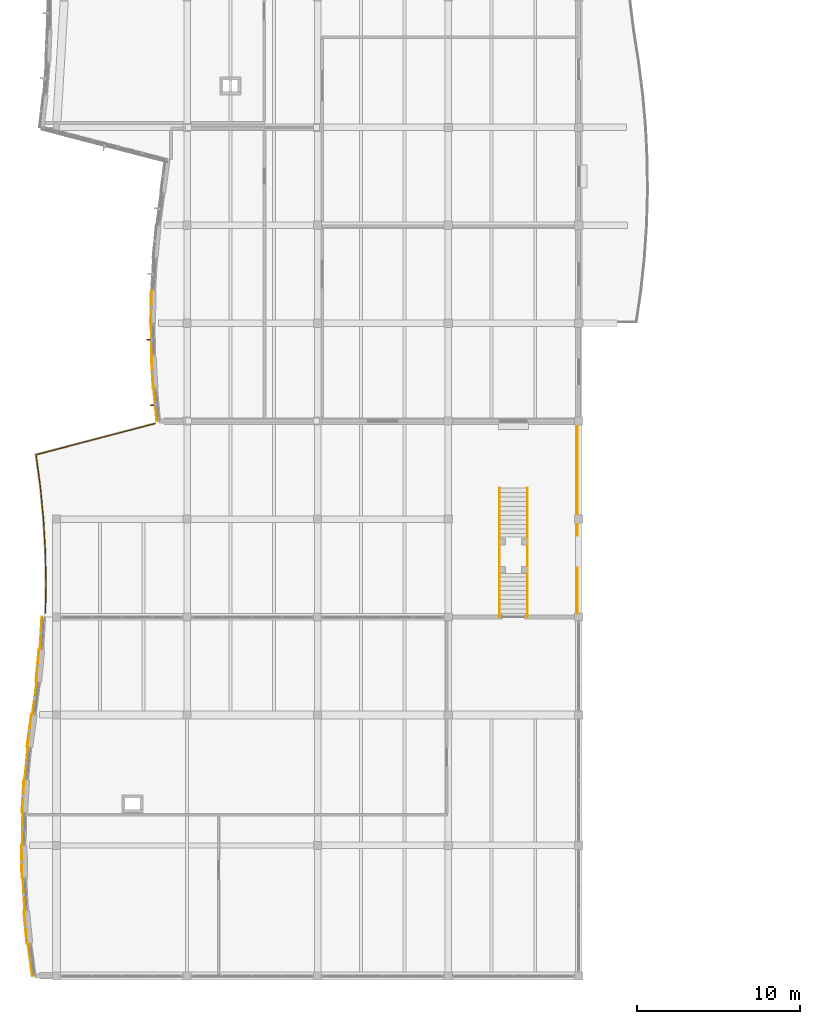
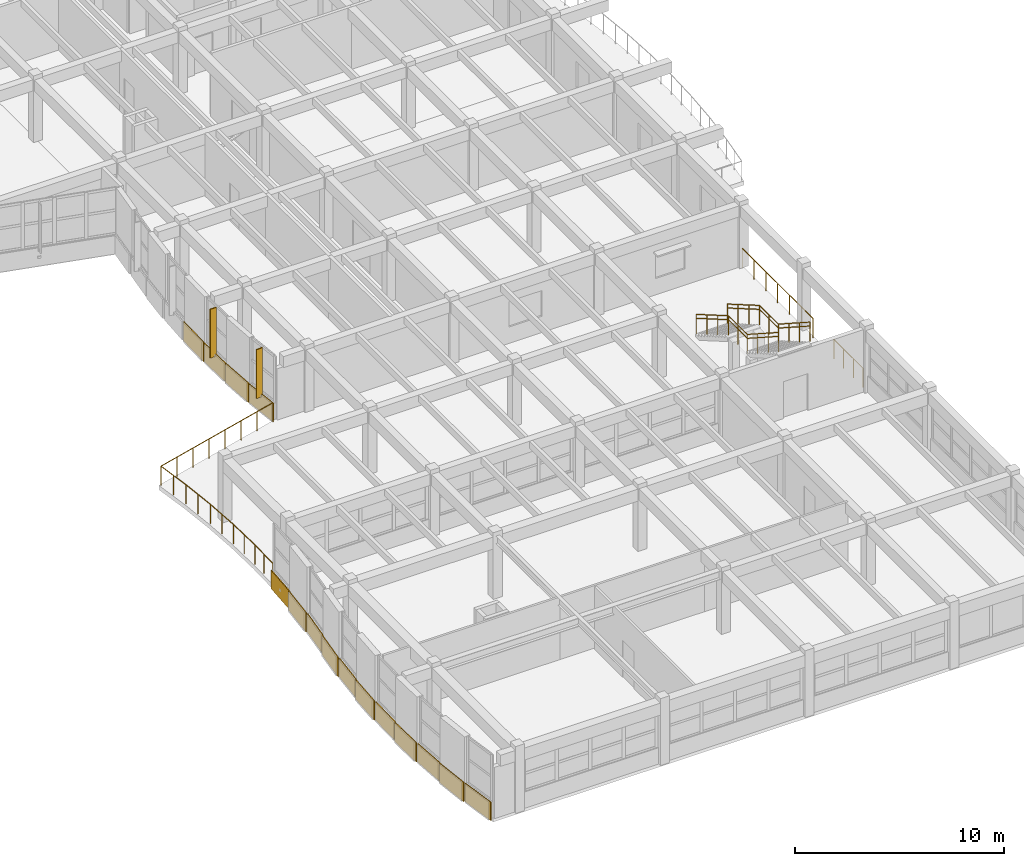
# One storey, part 77 of 89: 15 coverings, 7 railings, 2 shading devices.
"""IFC4 building model written with IfcOpenShell, lengths in metres."""

from ifc_helpers import new_model, si_unit, direction, frame, origin, origin_2d, place, context, subcontext, project, spatial, polyline, rectangle, circle, outline, extrude, material, layer, layer_set, type_object, element, save


model = new_model("IFC4")

# Units and contexts
model_context = context("Model", 3, precision=1e-05, world=origin(), true_north=direction((0.0, 1.0)))
body_context = subcontext(model_context, "Body", "Model", "MODEL_VIEW")
ifc_project = project(units=[si_unit("LENGTHUNIT", "METRE"), si_unit("AREAUNIT", "SQUARE_METRE"), si_unit("VOLUMEUNIT", "CUBIC_METRE"), si_unit("PLANEANGLEUNIT", "RADIAN"), si_unit("MASSUNIT", "GRAM", prefix="KILO")], contexts=[model_context])

# Site, building, storey
site_placement = place(None, origin())
site = spatial("IfcSite", under=ifc_project, at=site_placement, CompositionType="ELEMENT")
building_placement = place(site_placement, origin())
building = spatial("IfcBuilding", under=site, at=building_placement, Name="Tonlespit Floodbar School", CompositionType="ELEMENT")
storey_placement = place(building_placement, frame((0.0, 0.0, 4.5)))
storey = spatial("IfcBuildingStorey", under=building, at=storey_placement, Name="L01", CompositionType="ELEMENT", Elevation=4.5)

# Railings
ifc_material_1 = material(Name="Galvanised Steel", Category="steel")
railing_type_1 = type_object("IfcRailingType", Name="Balustrade_Ext_1150", PredefinedType="BALUSTRADE", material=ifc_material_1)
railing_1_placement = place(storey_placement, frame((35.919921875, 29.0, 0.0)))
element("IfcRailing", 1, at=railing_1_placement, inside=storey, type_object=railing_type_1, Name="L01 terrace balustrade 012", PredefinedType="BALUSTRADE", context=body_context, shape_type="SweptSolid", body=[
    extrude(circle(Radius=0.02392578125, at=origin_2d()), frame((0.0, 0.0, 1.1259765625), z_axis=(0.0, -1.0, 0.0), x_axis=(1.0, 0.0, 0.0)), (0.0, 0.0, 1.0), 2.77783203125),
    extrude(circle(Radius=0.02099609375, at=origin_2d()), origin(), (0.0, 0.0, 1.0), 1.101806640625),
    extrude(circle(Radius=0.02099609375, at=origin_2d()), frame((0.0, -0.926025390625, 0.0)), (0.0, 0.0, 1.0), 1.101806640625),
    extrude(circle(Radius=0.02099609375, at=origin_2d()), frame((0.0, -1.851806640625, 0.0)), (0.0, 0.0, 1.0), 1.101806640625),
    extrude(circle(Radius=0.02099609375, at=origin_2d()), frame((0.0, -2.77783203125, 0.0)), (0.0, 0.0, 1.0), 1.101806640625),
])
railing_2_placement = place(storey_placement, frame((31.139892578125, 33.89990234375, 0.16259765625)))
element("IfcRailing", 2, at=railing_2_placement, inside=storey, type_object=railing_type_1, Name="ST-D2 side guard 1", PredefinedType="BALUSTRADE", context=body_context, shape_type="SweptSolid", body=[
    extrude(circle(Radius=0.02392578125, at=origin_2d()), frame((0.0, 0.0, 1.1259765625), z_axis=(0.0, -0.864903211148, 0.501938676878), x_axis=(1.0, 0.0, 0.0)), (0.0, 0.0, 1.0), 3.560791015625),
    extrude(circle(Radius=0.02392578125, at=origin_2d()), frame((0.0, -3.079833984375, 2.9130859375), z_axis=(0.0, -1.0, 0.0), x_axis=(1.0, 0.0, 0.0)), (0.0, 0.0, 1.0), 1.800048828125),
    extrude(circle(Radius=0.02392578125, at=origin_2d()), frame((0.0, -4.8798828125, 2.9130859375), z_axis=(0.0, -0.840099985786, 0.542431575301), x_axis=(1.0, 0.0, 0.0)), (0.0, 0.0, 1.0), 3.5947265625),
    extrude(circle(Radius=0.02099609375, at=origin_2d()), origin(), (0.0, 0.0, 1.0), 1.101806640625),
    extrude(circle(Radius=0.02099609375, at=origin_2d()), frame((0.0, -1.026611328125, 0.595703125)), (0.0, 0.0, 1.0), 1.101806640625),
    extrude(circle(Radius=0.02099609375, at=origin_2d()), frame((0.0, -2.05322265625, 1.191650390625)), (0.0, 0.0, 1.0), 1.101806640625),
    extrude(circle(Radius=0.02099609375, at=origin_2d()), frame((0.0, -3.079833984375, 1.787353515625)), (0.0, 0.0, 1.0), 1.101806640625),
    extrude(circle(Radius=0.02099609375, at=origin_2d()), frame((0.0, -3.97998046875, 1.787353515625)), (0.0, 0.0, 1.0), 1.101806640625),
    extrude(circle(Radius=0.02099609375, at=origin_2d()), frame((0.0, -4.8798828125, 1.787353515625)), (0.0, 0.0, 1.0), 1.101806640625),
    extrude(circle(Radius=0.02099609375, at=origin_2d()), frame((0.0, -5.886474609375, 2.437255859375)), (0.0, 0.0, 1.0), 1.101806640625),
    extrude(circle(Radius=0.02099609375, at=origin_2d()), frame((0.0, -6.893310546875, 3.08740234375)), (0.0, 0.0, 1.0), 1.101806640625),
    extrude(circle(Radius=0.02099609375, at=origin_2d()), frame((0.0, -7.89990234375, 3.7373046875)), (0.0, 0.0, 1.0), 1.101806640625),
])
railing_3_placement = place(storey_placement, frame((32.860107421875, 33.89990234375, 0.16259765625)))
element("IfcRailing", 3, at=railing_3_placement, inside=storey, type_object=railing_type_1, Name="ST-D2 side guard 2", PredefinedType="BALUSTRADE", context=body_context, shape_type="SweptSolid", body=[
    extrude(circle(Radius=0.02392578125, at=origin_2d()), frame((0.0, 0.0, 1.1259765625), z_axis=(0.0, -0.864903211148, 0.501938676878), x_axis=(1.0, 0.0, 0.0)), (0.0, 0.0, 1.0), 3.560791015625),
    extrude(circle(Radius=0.02392578125, at=origin_2d()), frame((0.0, -3.079833984375, 2.9130859375), z_axis=(0.0, -1.0, 0.0), x_axis=(1.0, 0.0, 0.0)), (0.0, 0.0, 1.0), 1.800048828125),
    extrude(circle(Radius=0.02392578125, at=origin_2d()), frame((0.0, -4.8798828125, 2.9130859375), z_axis=(0.0, -0.840099985786, 0.542431575301), x_axis=(1.0, 0.0, 0.0)), (0.0, 0.0, 1.0), 3.5947265625),
    extrude(circle(Radius=0.02099609375, at=origin_2d()), origin(), (0.0, 0.0, 1.0), 1.101806640625),
    extrude(circle(Radius=0.02099609375, at=origin_2d()), frame((0.0, -1.026611328125, 0.595703125)), (0.0, 0.0, 1.0), 1.101806640625),
    extrude(circle(Radius=0.02099609375, at=origin_2d()), frame((0.0, -2.05322265625, 1.191650390625)), (0.0, 0.0, 1.0), 1.101806640625),
    extrude(circle(Radius=0.02099609375, at=origin_2d()), frame((0.0, -3.079833984375, 1.787353515625)), (0.0, 0.0, 1.0), 1.101806640625),
    extrude(circle(Radius=0.02099609375, at=origin_2d()), frame((0.0, -3.97998046875, 1.787353515625)), (0.0, 0.0, 1.0), 1.101806640625),
    extrude(circle(Radius=0.02099609375, at=origin_2d()), frame((0.0, -4.8798828125, 1.787353515625)), (0.0, 0.0, 1.0), 1.101806640625),
    extrude(circle(Radius=0.02099609375, at=origin_2d()), frame((0.0, -5.886474609375, 2.437255859375)), (0.0, 0.0, 1.0), 1.101806640625),
    extrude(circle(Radius=0.02099609375, at=origin_2d()), frame((0.0, -6.893310546875, 3.08740234375)), (0.0, 0.0, 1.0), 1.101806640625),
    extrude(circle(Radius=0.02099609375, at=origin_2d()), frame((0.0, -7.89990234375, 3.7373046875)), (0.0, 0.0, 1.0), 1.101806640625),
])

# Coverings
ifc_material_2 = material(Name="White Architectural Aluminium", Category="aluminium")
ifc_layer_1 = layer(ifc_material_2, 0.050048828125)
ifc_layer_set_1 = layer_set([ifc_layer_1], Name="White Architectural Aluminium")
covering_type = type_object("IfcCoveringType", Name="Cladding_WhiteBand_50", PredefinedType="CLADDING", material=ifc_layer_set_1)
covering_1_placement = place(storey_placement, frame((0.0, 0.0, -0.1201171875)))
element("IfcCovering", 4, at=covering_1_placement, inside=storey, type_object=covering_type, Name="L01 curved white spandrel cladding 0514", PredefinedType="CLADDING", context=body_context, shape_type="SweptSolid", body=[
    extrude(outline(polyline([(10.1787109375, 37.990478515625), (9.985595703125, 39.990478515625), (9.935791015625, 39.985595703125), (10.12890625, 37.985595703125), (10.1787109375, 37.990478515625)])), origin(), (0.0, 0.0, 1.0), 1.070068359375),
])
covering_2_placement = place(storey_placement, frame((0.0, 0.0, -0.1201171875)))
element("IfcCovering", 5, at=covering_2_placement, inside=storey, type_object=covering_type, Name="L01 curved white spandrel cladding 0515", PredefinedType="CLADDING", context=body_context, shape_type="SweptSolid", body=[
    extrude(outline(polyline([(9.955078125, 39.992431640625), (9.839599609375, 41.992431640625), (9.789794921875, 41.989501953125), (9.9052734375, 39.989501953125), (9.955078125, 39.992431640625)])), origin(), (0.0, 0.0, 1.0), 1.1201171875),
])
covering_3_placement = place(storey_placement, frame((0.0, 0.0, -0.1201171875)))
element("IfcCovering", 6, at=covering_3_placement, inside=storey, type_object=covering_type, Name="L01 curved white spandrel cladding 0516", PredefinedType="CLADDING", context=body_context, shape_type="SweptSolid", body=[
    extrude(outline(polyline([(9.869384765625, 41.998046875), (9.830810546875, 43.998046875), (9.781005859375, 43.9970703125), (9.8193359375, 41.9970703125), (9.869384765625, 41.998046875)])), origin(), (0.0, 0.0, 1.0), 1.070068359375),
])
covering_4_placement = place(storey_placement, frame((0.0, 0.0, -0.1201171875)))
element("IfcCovering", 7, at=covering_4_placement, inside=storey, type_object=covering_type, Name="L01 curved white spandrel cladding 0517", PredefinedType="CLADDING", context=body_context, shape_type="SweptSolid", body=[
    extrude(outline(polyline([(9.80078125, 44.00244140625), (9.83935546875, 46.00244140625), (9.789306640625, 46.00341796875), (9.7509765625, 44.00341796875), (9.80078125, 44.00244140625)])), origin(), (0.0, 0.0, 1.0), 1.1201171875),
])
covering_5_placement = place(storey_placement, frame((0.0, 0.0, -0.1201171875)))
element("IfcCovering", 8, at=covering_5_placement, inside=storey, type_object=covering_type, Name="L01 curved white spandrel cladding 0763", PredefinedType="CLADDING", context=body_context, shape_type="SweptSolid", body=[
    extrude(outline(polyline([(2.55078125, 3.986572265625), (2.279052734375, 5.986572265625), (2.2294921875, 5.979736328125), (2.50146484375, 3.979736328125), (2.55078125, 3.986572265625)])), origin(), (0.0, 0.0, 1.0), 1.070068359375),
])
covering_6_placement = place(storey_placement, frame((0.0, 0.0, -0.1201171875)))
element("IfcCovering", 9, at=covering_6_placement, inside=storey, type_object=covering_type, Name="L01 curved white spandrel cladding 0764", PredefinedType="CLADDING", context=body_context, shape_type="SweptSolid", body=[
    extrude(outline(polyline([(2.218994140625, 5.984619140625), (2.025634765625, 7.984619140625), (1.975830078125, 7.979736328125), (2.169189453125, 5.979736328125), (2.218994140625, 5.984619140625)])), origin(), (0.0, 0.0, 1.0), 1.1201171875),
])
covering_7_placement = place(storey_placement, frame((0.0, 0.0, -0.1201171875)))
element("IfcCovering", 10, at=covering_7_placement, inside=storey, type_object=covering_type, Name="L01 curved white spandrel cladding 0765", PredefinedType="CLADDING", context=body_context, shape_type="SweptSolid", body=[
    extrude(outline(polyline([(2.085205078125, 7.994140625), (1.969482421875, 9.994140625), (1.919677734375, 9.9912109375), (2.035400390625, 7.9912109375), (2.085205078125, 7.994140625)])), origin(), (0.0, 0.0, 1.0), 1.070068359375),
])
covering_8_placement = place(storey_placement, frame((0.0, 0.0, -0.1201171875)))
element("IfcCovering", 11, at=covering_8_placement, inside=storey, type_object=covering_type, Name="L01 curved white spandrel cladding 0766", PredefinedType="CLADDING", context=body_context, shape_type="SweptSolid", body=[
    extrude(outline(polyline([(1.909423828125, 9.996826171875), (1.870849609375, 11.996826171875), (1.82080078125, 11.995849609375), (1.859375, 9.995849609375), (1.909423828125, 9.996826171875)])), origin(), (0.0, 0.0, 1.0), 1.1201171875),
])
covering_9_placement = place(storey_placement, frame((0.0, 0.0, -0.1201171875)))
element("IfcCovering", 12, at=covering_9_placement, inside=storey, type_object=covering_type, Name="L01 curved white spandrel cladding 0767", PredefinedType="CLADDING", context=body_context, shape_type="SweptSolid", body=[
    extrude(outline(polyline([(1.930908203125, 12.001953125), (1.969482421875, 14.001953125), (1.91943359375, 14.0029296875), (1.880859375, 12.0029296875), (1.930908203125, 12.001953125)])), origin(), (0.0, 0.0, 1.0), 1.070068359375),
])
covering_10_placement = place(storey_placement, frame((0.0, 0.0, -0.1201171875)))
element("IfcCovering", 13, at=covering_10_placement, inside=storey, type_object=covering_type, Name="L01 curved white spandrel cladding 0768", PredefinedType="CLADDING", context=body_context, shape_type="SweptSolid", body=[
    extrude(outline(polyline([(1.90966796875, 14.00927734375), (2.025390625, 16.00927734375), (1.975341796875, 16.01220703125), (1.85986328125, 14.01220703125), (1.90966796875, 14.00927734375)])), origin(), (0.0, 0.0, 1.0), 1.1201171875),
])
covering_11_placement = place(storey_placement, frame((0.0, 0.0, -0.1201171875)))
element("IfcCovering", 14, at=covering_11_placement, inside=storey, type_object=covering_type, Name="L01 curved white spandrel cladding 0769", PredefinedType="CLADDING", context=body_context, shape_type="SweptSolid", body=[
    extrude(outline(polyline([(2.08544921875, 16.009521484375), (2.27880859375, 18.009521484375), (2.22900390625, 18.014404296875), (2.03564453125, 16.014404296875), (2.08544921875, 16.009521484375)])), origin(), (0.0, 0.0, 1.0), 1.070068359375),
])
covering_12_placement = place(storey_placement, frame((0.0, 0.0, -0.1201171875)))
element("IfcCovering", 15, at=covering_12_placement, inside=storey, type_object=covering_type, Name="L01 curved white spandrel cladding 0770", PredefinedType="CLADDING", context=body_context, shape_type="SweptSolid", body=[
    extrude(outline(polyline([(2.2197265625, 18.021484375), (2.491455078125, 20.021484375), (2.44189453125, 20.0283203125), (2.170166015625, 18.0283203125), (2.2197265625, 18.021484375)])), origin(), (0.0, 0.0, 1.0), 1.1201171875),
])
covering_13_placement = place(storey_placement, frame((0.0, 0.0, -0.1201171875)))
element("IfcCovering", 16, at=covering_13_placement, inside=storey, type_object=covering_type, Name="L01 curved white spandrel cladding 0771", PredefinedType="CLADDING", context=body_context, shape_type="SweptSolid", body=[
    extrude(outline(polyline([(2.55078125, 20.013427734375), (2.82275390625, 22.013427734375), (2.773193359375, 22.020263671875), (2.50146484375, 20.020263671875), (2.55078125, 20.013427734375)])), origin(), (0.0, 0.0, 1.0), 1.070068359375),
])
covering_14_placement = place(storey_placement, frame((0.0, 0.0, -0.1201171875)))
element("IfcCovering", 17, at=covering_14_placement, inside=storey, type_object=covering_type, Name="L01 curved white spandrel cladding 0772", PredefinedType="CLADDING", context=body_context, shape_type="SweptSolid", body=[
    extrude(outline(polyline([(2.762451171875, 22.015380859375), (2.955810546875, 24.015380859375), (2.906005859375, 24.020263671875), (2.712646484375, 22.020263671875), (2.762451171875, 22.015380859375)])), origin(), (0.0, 0.0, 1.0), 1.1201171875),
])
covering_15_placement = place(storey_placement, frame((0.0, 0.0, -0.1201171875)))
element("IfcCovering", 18, at=covering_15_placement, inside=storey, type_object=covering_type, Name="L01 curved white spandrel cladding 0773", PredefinedType="CLADDING", context=body_context, shape_type="SweptSolid", body=[
    extrude(outline(polyline([(3.01513671875, 24.005859375), (3.130859375, 26.005859375), (3.080810546875, 26.0087890625), (2.96533203125, 24.0087890625), (3.01513671875, 24.005859375)])), origin(), (0.0, 0.0, 1.0), 1.070068359375),
])

# Railings
ifc_material_3 = material(Name="Anodised Aluminium", Category="aluminium")
railing_type_2 = type_object("IfcRailingType", Name="Guardrail_Terrace_1150", PredefinedType="GUARDRAIL", material=ifc_material_3)
railing_4_placement = place(storey_placement, frame((3.315185546875, 26.24560546875, 0.0)))
element("IfcRailing", 19, at=railing_4_placement, inside=storey, type_object=railing_type_2, Name="L01 terrace balustrade 009", PredefinedType="GUARDRAIL", context=body_context, shape_type="SweptSolid", body=[
    extrude(circle(Radius=0.02392578125, at=origin_2d()), frame((0.0, 0.0, 1.1259765625), z_axis=(0.019361095757, 0.999812556418, 0.0), x_axis=(-0.999812556418, 0.019361095757, 0.0)), (0.0, 0.0, 1.0), 1.752685546875),
    extrude(circle(Radius=0.02392578125, at=origin_2d()), frame((0.033935546875, 1.75244140625, 1.1259765625), z_axis=(-0.01925298157, 0.999814644172, 0.0), x_axis=(-0.999814644172, -0.01925298157, 0.0)), (0.0, 0.0, 1.0), 2.003662109375),
    extrude(circle(Radius=0.02392578125, at=origin_2d()), frame((-0.004638671875, 3.755615234375, 1.1259765625), z_axis=(-0.057680501526, 0.998335093916, 0.0), x_axis=(-0.998335093916, -0.057680501526, 0.0)), (0.0, 0.0, 1.0), 2.00634765625),
    extrude(circle(Radius=0.02392578125, at=origin_2d()), frame((-0.120361328125, 5.758544921875, 1.1259765625), z_axis=(-0.096079940004, 0.995373620873, 0.0), x_axis=(-0.995373620873, -0.096079940004, 0.0)), (0.0, 0.0, 1.0), 2.012451171875),
    extrude(circle(Radius=0.02392578125, at=origin_2d()), frame((-0.313720703125, 7.76171875, 1.1259765625), z_axis=(-0.134549065615, 0.990906932533, 0.0), x_axis=(-0.990906932533, -0.134549065615, 0.0)), (0.0, 0.0, 1.0), 1.95068359375),
    extrude(circle(Radius=0.02392578125, at=origin_2d()), frame((-0.576171875, 9.694580078125, 1.1259765625), z_axis=(0.96729667106, 0.253647689043, 0.0), x_axis=(-0.253647689043, 0.96729667106, 0.0)), (0.0, 0.0, 1.0), 7.547119140625),
    extrude(circle(Radius=0.02099609375, at=origin_2d()), origin(), (0.0, 0.0, 1.0), 1.101806640625),
    extrude(circle(Radius=0.02099609375, at=origin_2d()), frame((0.01708984375, 0.876220703125, 0.0)), (0.0, 0.0, 1.0), 1.101806640625),
    extrude(circle(Radius=0.02099609375, at=origin_2d()), frame((0.033935546875, 1.75244140625, 0.0)), (0.0, 0.0, 1.0), 1.101806640625),
    extrude(circle(Radius=0.02099609375, at=origin_2d()), frame((0.0146484375, 2.75390625, 0.0)), (0.0, 0.0, 1.0), 1.101806640625),
    extrude(circle(Radius=0.02099609375, at=origin_2d()), frame((-0.004638671875, 3.755615234375, 0.0)), (0.0, 0.0, 1.0), 1.101806640625),
    extrude(circle(Radius=0.02099609375, at=origin_2d()), frame((-0.0625, 4.757080078125, 0.0)), (0.0, 0.0, 1.0), 1.101806640625),
    extrude(circle(Radius=0.02099609375, at=origin_2d()), frame((-0.120361328125, 5.758544921875, 0.0)), (0.0, 0.0, 1.0), 1.101806640625),
    extrude(circle(Radius=0.02099609375, at=origin_2d()), frame((-0.217041015625, 6.76025390625, 0.0)), (0.0, 0.0, 1.0), 1.101806640625),
    extrude(circle(Radius=0.02099609375, at=origin_2d()), frame((-0.313720703125, 7.76171875, 0.0)), (0.0, 0.0, 1.0), 1.101806640625),
    extrude(circle(Radius=0.02099609375, at=origin_2d()), frame((-0.44482421875, 8.72802734375, 0.0)), (0.0, 0.0, 1.0), 1.101806640625),
    extrude(circle(Radius=0.02099609375, at=origin_2d()), frame((-0.576171875, 9.694580078125, 0.0)), (0.0, 0.0, 1.0), 1.101806640625),
    extrude(circle(Radius=0.02099609375, at=origin_2d()), frame((0.466796875, 9.968017578125, 0.0)), (0.0, 0.0, 1.0), 1.101806640625),
    extrude(circle(Radius=0.02099609375, at=origin_2d()), frame((1.509521484375, 10.241455078125, 0.0)), (0.0, 0.0, 1.0), 1.101806640625),
    extrude(circle(Radius=0.02099609375, at=origin_2d()), frame((2.552490234375, 10.514892578125, 0.0)), (0.0, 0.0, 1.0), 1.101806640625),
    extrude(circle(Radius=0.02099609375, at=origin_2d()), frame((3.595458984375, 10.78857421875, 0.0)), (0.0, 0.0, 1.0), 1.101806640625),
    extrude(circle(Radius=0.02099609375, at=origin_2d()), frame((4.638427734375, 11.06201171875, 0.0)), (0.0, 0.0, 1.0), 1.101806640625),
    extrude(circle(Radius=0.02099609375, at=origin_2d()), frame((5.68115234375, 11.33544921875, 0.0)), (0.0, 0.0, 1.0), 1.101806640625),
    extrude(circle(Radius=0.02099609375, at=origin_2d()), frame((6.72412109375, 11.60888671875, 0.0)), (0.0, 0.0, 1.0), 1.101806640625),
])
railing_5_placement = place(storey_placement, frame((35.919921875, 37.77783203125, 0.0)))
element("IfcRailing", 20, at=railing_5_placement, inside=storey, type_object=railing_type_2, Name="L01 terrace balustrade 011", PredefinedType="GUARDRAIL", context=body_context, shape_type="SweptSolid", body=[
    extrude(circle(Radius=0.02392578125, at=origin_2d()), frame((0.0, 0.0, 1.1259765625), z_axis=(0.0, -1.0, 0.0), x_axis=(1.0, 0.0, 0.0)), (0.0, 0.0, 1.0), 6.77783203125),
    extrude(circle(Radius=0.02099609375, at=origin_2d()), origin(), (0.0, 0.0, 1.0), 1.101806640625),
    extrude(circle(Radius=0.02099609375, at=origin_2d()), frame((0.0, -1.129638671875, 0.0)), (0.0, 0.0, 1.0), 1.101806640625),
    extrude(circle(Radius=0.02099609375, at=origin_2d()), frame((0.0, -2.25927734375, 0.0)), (0.0, 0.0, 1.0), 1.101806640625),
    extrude(circle(Radius=0.02099609375, at=origin_2d()), frame((0.0, -3.388916015625, 0.0)), (0.0, 0.0, 1.0), 1.101806640625),
    extrude(circle(Radius=0.02099609375, at=origin_2d()), frame((0.0, -4.5185546875, 0.0)), (0.0, 0.0, 1.0), 1.101806640625),
    extrude(circle(Radius=0.02099609375, at=origin_2d()), frame((0.0, -5.648193359375, 0.0)), (0.0, 0.0, 1.0), 1.101806640625),
    extrude(circle(Radius=0.02099609375, at=origin_2d()), frame((0.0, -6.77783203125, 0.0)), (0.0, 0.0, 1.0), 1.101806640625),
])
railing_type_3 = type_object("IfcRailingType", Name="Handrail_Ext_920", PredefinedType="HANDRAIL", material=ifc_material_1)
railing_6_placement = place(storey_placement, frame((31.139892578125, 33.89990234375, 0.16259765625)))
element("IfcRailing", 21, at=railing_6_placement, inside=storey, type_object=railing_type_3, Name="ST-D2 handrail 1", PredefinedType="HANDRAIL", context=body_context, shape_type="SweptSolid", body=[
    extrude(circle(Radius=0.02392578125, at=origin_2d()), frame((0.0, 0.0, 0.89599609375), z_axis=(0.0, -0.864903211148, 0.501938676878), x_axis=(1.0, 0.0, 0.0)), (0.0, 0.0, 1.0), 3.560791015625),
    extrude(circle(Radius=0.02392578125, at=origin_2d()), frame((0.0, -3.079833984375, 2.68310546875), z_axis=(0.0, -1.0, 0.0), x_axis=(1.0, 0.0, 0.0)), (0.0, 0.0, 1.0), 1.800048828125),
    extrude(circle(Radius=0.02392578125, at=origin_2d()), frame((0.0, -4.8798828125, 2.68310546875), z_axis=(0.0, -0.840099985786, 0.542431575301), x_axis=(1.0, 0.0, 0.0)), (0.0, 0.0, 1.0), 3.5947265625),
    extrude(circle(Radius=0.02099609375, at=origin_2d()), origin(), (0.0, 0.0, 1.0), 0.871826171875),
    extrude(circle(Radius=0.02099609375, at=origin_2d()), frame((0.0, -1.026611328125, 0.595703125)), (0.0, 0.0, 1.0), 0.871826171875),
    extrude(circle(Radius=0.02099609375, at=origin_2d()), frame((0.0, -2.05322265625, 1.191650390625)), (0.0, 0.0, 1.0), 0.871826171875),
    extrude(circle(Radius=0.02099609375, at=origin_2d()), frame((0.0, -3.079833984375, 1.787353515625)), (0.0, 0.0, 1.0), 0.871826171875),
    extrude(circle(Radius=0.02099609375, at=origin_2d()), frame((0.0, -3.97998046875, 1.787353515625)), (0.0, 0.0, 1.0), 0.871826171875),
    extrude(circle(Radius=0.02099609375, at=origin_2d()), frame((0.0, -4.8798828125, 1.787353515625)), (0.0, 0.0, 1.0), 0.871826171875),
    extrude(circle(Radius=0.02099609375, at=origin_2d()), frame((0.0, -5.886474609375, 2.437255859375)), (0.0, 0.0, 1.0), 0.871826171875),
    extrude(circle(Radius=0.02099609375, at=origin_2d()), frame((0.0, -6.893310546875, 3.08740234375)), (0.0, 0.0, 1.0), 0.871826171875),
    extrude(circle(Radius=0.02099609375, at=origin_2d()), frame((0.0, -7.89990234375, 3.7373046875)), (0.0, 0.0, 1.0), 0.871826171875),
])
railing_7_placement = place(storey_placement, frame((32.860107421875, 33.89990234375, 0.16259765625)))
element("IfcRailing", 22, at=railing_7_placement, inside=storey, type_object=railing_type_3, Name="ST-D2 handrail 2", PredefinedType="HANDRAIL", context=body_context, shape_type="SweptSolid", body=[
    extrude(circle(Radius=0.02392578125, at=origin_2d()), frame((0.0, 0.0, 0.89599609375), z_axis=(0.0, -0.864903211148, 0.501938676878), x_axis=(1.0, 0.0, 0.0)), (0.0, 0.0, 1.0), 3.560791015625),
    extrude(circle(Radius=0.02392578125, at=origin_2d()), frame((0.0, -3.079833984375, 2.68310546875), z_axis=(0.0, -1.0, 0.0), x_axis=(1.0, 0.0, 0.0)), (0.0, 0.0, 1.0), 1.800048828125),
    extrude(circle(Radius=0.02392578125, at=origin_2d()), frame((0.0, -4.8798828125, 2.68310546875), z_axis=(0.0, -0.840099985786, 0.542431575301), x_axis=(1.0, 0.0, 0.0)), (0.0, 0.0, 1.0), 3.5947265625),
    extrude(circle(Radius=0.02099609375, at=origin_2d()), origin(), (0.0, 0.0, 1.0), 0.871826171875),
    extrude(circle(Radius=0.02099609375, at=origin_2d()), frame((0.0, -1.026611328125, 0.595703125)), (0.0, 0.0, 1.0), 0.871826171875),
    extrude(circle(Radius=0.02099609375, at=origin_2d()), frame((0.0, -2.05322265625, 1.191650390625)), (0.0, 0.0, 1.0), 0.871826171875),
    extrude(circle(Radius=0.02099609375, at=origin_2d()), frame((0.0, -3.079833984375, 1.787353515625)), (0.0, 0.0, 1.0), 0.871826171875),
    extrude(circle(Radius=0.02099609375, at=origin_2d()), frame((0.0, -3.97998046875, 1.787353515625)), (0.0, 0.0, 1.0), 0.871826171875),
    extrude(circle(Radius=0.02099609375, at=origin_2d()), frame((0.0, -4.8798828125, 1.787353515625)), (0.0, 0.0, 1.0), 0.871826171875),
    extrude(circle(Radius=0.02099609375, at=origin_2d()), frame((0.0, -5.886474609375, 2.437255859375)), (0.0, 0.0, 1.0), 0.871826171875),
    extrude(circle(Radius=0.02099609375, at=origin_2d()), frame((0.0, -6.893310546875, 3.08740234375)), (0.0, 0.0, 1.0), 0.871826171875),
    extrude(circle(Radius=0.02099609375, at=origin_2d()), frame((0.0, -7.89990234375, 3.7373046875)), (0.0, 0.0, 1.0), 0.871826171875),
])

# Shading devices
ifc_material_4 = material(Name="Terracotta Anodised Aluminium", Category="masonry")
ifc_layer_2 = layer(ifc_material_4, 0.06005859375)
ifc_layer_set_2 = layer_set([ifc_layer_2], Name="Terracotta Anodised Aluminium")
shading_device_type = type_object("IfcShadingDeviceType", Name="Shading_SolarFin_350", PredefinedType="USERDEFINED", material=ifc_layer_set_2)
for number, where, z_axis, x_axis, name in (
    (23, (9.9228515625, 38.97509765625, 0.800048828125), (0.0, 0.0, 1.0), (-0.096153248998, 0.995366541887, 0.0), "L01 vertical solar fin 132"),
    (24, (9.690185546875, 42.9951171875, 0.800048828125), (0.0, 0.0, 1.0), (-0.01924630259, 0.999814772764, 0.0), "L01 vertical solar fin 133"),
):
    element("IfcShadingDevice", number, at=place(storey_placement, frame(where, z_axis=z_axis, x_axis=x_axis)), inside=storey, type_object=shading_device_type, Name=name, ObjectType="SOLAR FIN", PredefinedType="USERDEFINED", context=body_context, shape_type="SweptSolid", body=[
        extrude(rectangle(XDim=0.06005859375, YDim=0.35009765625, at=origin_2d()), origin(), (0.0, 0.0, 1.0), 2.85009765625),
    ])

save(model, "model.ifc")
